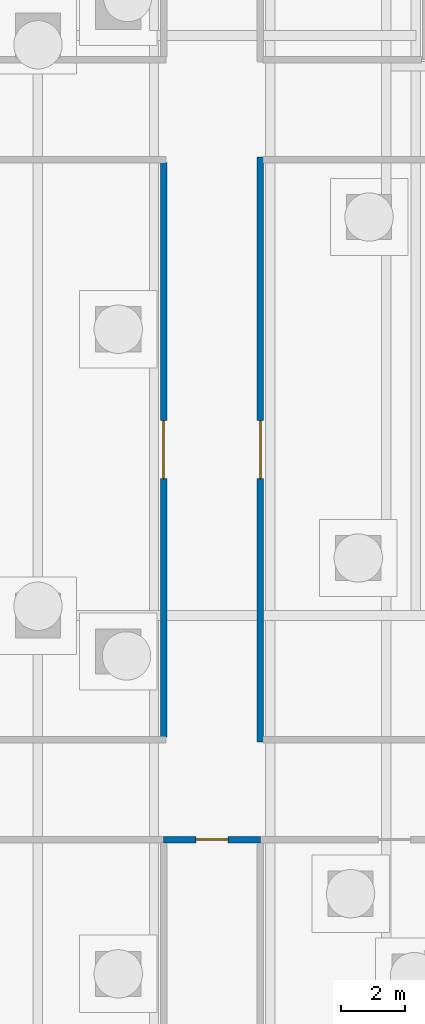
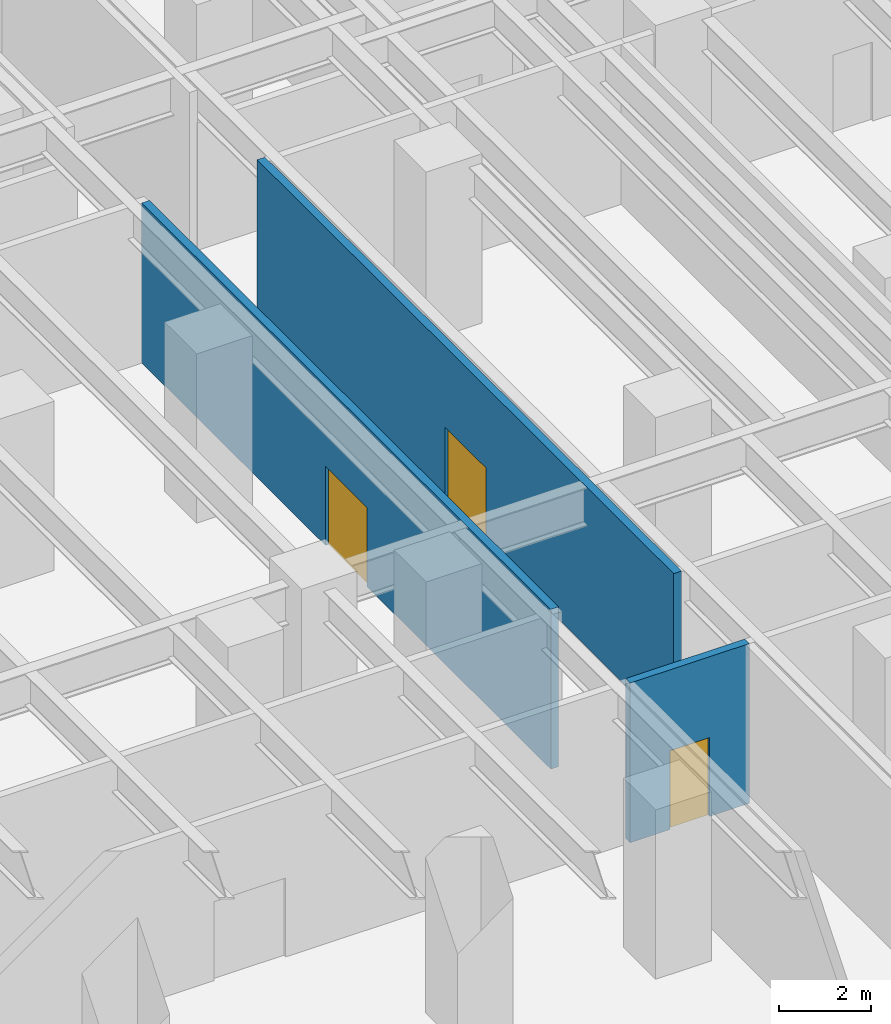
# One storey, part 7 of 18: 3 doors, 3 walls, 3 openings.
"""IFC4 building model written with IfcOpenShell, lengths in metres."""

from ifc_helpers import new_model, si_unit, direction, frame, frame_2d, origin, place, context, subcontext, project, spatial, rectangle, extrude, material, layer, layer_set, type_object, element, fill, save


model = new_model("IFC4")

# Units and contexts
model_context = context("Model", 3, precision=1e-05, world=origin(), true_north=direction((0.0, 1.0)))
body_context = subcontext(model_context, "Body", "Model", "MODEL_VIEW")
ifc_project = project(units=[si_unit("LENGTHUNIT", "METRE"), si_unit("AREAUNIT", "SQUARE_METRE"), si_unit("VOLUMEUNIT", "CUBIC_METRE"), si_unit("PLANEANGLEUNIT", "RADIAN"), si_unit("MASSUNIT", "GRAM", prefix="KILO")], contexts=[model_context])

# Site, building, storey
site_placement = place(None, origin())
site = spatial("IfcSite", under=ifc_project, at=site_placement, CompositionType="ELEMENT")
building_placement = place(site_placement, origin())
building = spatial("IfcBuilding", under=site, at=building_placement, Name="Aloe Facet Convention Tower", CompositionType="ELEMENT")
storey_placement = place(building_placement, frame((0.0, 0.0, -9.0)))
storey = spatial("IfcBuildingStorey", under=building, at=storey_placement, Name="B2", CompositionType="ELEMENT", Elevation=-9.0)

# Wall, opening, door
ifc_material_1 = material(Name="Masonry blockwork wall, plastered", Category="masonry")
ifc_layer = layer(ifc_material_1, 0.199951171875)
ifc_layer_set = layer_set([ifc_layer], Name="IN-POD-W-PLANT")
wall_type = type_object("IfcWallType", Name="IN-POD-W-PLANT", PredefinedType="PARTITIONING", material=ifc_layer_set)
wall_1_placement = place(storey_placement, frame((83.89990234375, 56.050048828125, 0.0), z_axis=(0.0, 0.0, 1.0), x_axis=(1.0, 0.0, 0.0)))
wall_1 = element("IfcWall", 1, at=wall_1_placement, inside=storey, type_object=wall_type, Name="Partition B2-W003", PredefinedType="PARTITIONING", context=body_context, shape_type="SweptSolid", body=[
    extrude(rectangle(XDim=3.0, YDim=0.199951171875, at=frame_2d((1.5, 0.0))), origin(), (0.0, 0.0, 1.0), 4.25),
])
opening_1_placement = place(wall_1_placement, frame((1.0, 0.0, 0.0)))
opening_1 = element("IfcOpeningElement", 2, at=opening_1_placement, cuts=wall_1, Name="Opening B2-021", PredefinedType="OPENING", context=body_context, shape_type="SweptSolid", body=[
    extrude(rectangle(XDim=1.0, YDim=2.10009765625, at=frame_2d((0.5, 1.050048828125))), frame((0.0, 0.10986328125, 0.0), z_axis=(0.0, -1.0, 0.0), x_axis=(1.0, 0.0, 0.0)), (0.0, 0.0, 1.0), 0.219970703125),
])
ifc_material_2 = material(Name="Steel flush door, galvanised", Category="steel")
door_type_1 = type_object("IfcDoorType", Name="IN-POD-D-PLANT", OperationType="SINGLE_SWING_LEFT", PredefinedType="DOOR", material=ifc_material_2)
door_1_placement = place(opening_1_placement, origin())
door_1 = element("IfcDoor", 3, at=door_1_placement, inside=storey, type_object=door_type_1, Name="Door B2-021", OperationType="SINGLE_SWING_LEFT", OverallHeight=2.10009765625, OverallWidth=1.0, PredefinedType="DOOR", context=body_context, shape_type="SweptSolid", body=[
    extrude(rectangle(XDim=1.0, YDim=2.10009765625, at=frame_2d((0.5, 1.050048828125))), frame((0.0, 0.02490234375, 0.0), z_axis=(0.0, -1.0, 0.0), x_axis=(1.0, 0.0, 0.0)), (0.0, 0.0, 1.0), 0.050048828125),
])
fill(opening_1, door_1)

wall_2_placement = place(storey_placement, frame((86.89990234375, 59.074951171875, 0.0), z_axis=(0.0, 0.0, 1.0), x_axis=(0.0, 1.0, 0.0)))
wall_2 = element("IfcWall", 4, at=wall_2_placement, inside=storey, type_object=wall_type, Name="Partition B2-W009", PredefinedType="PARTITIONING", context=body_context, shape_type="SweptSolid", body=[
    extrude(rectangle(XDim=18.150146484375, YDim=0.199951171875, at=frame_2d((9.0751953125, 0.0))), origin(), (0.0, 0.0, 1.0), 4.25),
])
opening_2_placement = place(wall_2_placement, frame((8.175048828125, 0.0, 0.0)))
opening_2 = element("IfcOpeningElement", 5, at=opening_2_placement, cuts=wall_2, Name="Opening B2-017", PredefinedType="OPENING", context=body_context, shape_type="SweptSolid", body=[
    extrude(rectangle(XDim=1.800048828125, YDim=2.10009765625, at=frame_2d((0.89990234375, 1.050048828125))), frame((0.0, 0.10986328125, 0.0), z_axis=(0.0, -1.0, 0.0), x_axis=(1.0, 0.0, 0.0)), (0.0, 0.0, 1.0), 0.219970703125),
])
ifc_material_3 = material(Name="Steel flush door pair, galvanised", Category="steel")
door_type_2 = type_object("IfcDoorType", Name="IN-POD-D-PLANTPAIR", OperationType="DOUBLE_DOOR_SINGLE_SWING", PredefinedType="DOOR", material=ifc_material_3)
door_2_placement = place(opening_2_placement, origin())
door_2 = element("IfcDoor", 6, at=door_2_placement, inside=storey, type_object=door_type_2, Name="Door B2-017", OperationType="SINGLE_SWING_LEFT", OverallHeight=2.10009765625, OverallWidth=1.800048828125, PredefinedType="DOOR", context=body_context, shape_type="SweptSolid", body=[
    extrude(rectangle(XDim=1.800048828125, YDim=2.10009765625, at=frame_2d((0.89990234375, 1.050048828125))), frame((0.0, 0.02490234375, 0.0), z_axis=(0.0, -1.0, 0.0), x_axis=(1.0, 0.0, 0.0)), (0.0, 0.0, 1.0), 0.050048828125),
])
fill(opening_2, door_2)

wall_3_placement = place(storey_placement, frame((83.89990234375, 59.235107421875, 0.0), z_axis=(0.0, 0.0, 1.0), x_axis=(0.0, 1.0, 0.0)))
wall_3 = element("IfcWall", 7, at=wall_3_placement, inside=storey, type_object=wall_type, Name="Partition B2-W015", PredefinedType="PARTITIONING", context=body_context, shape_type="SweptSolid", body=[
    extrude(rectangle(XDim=17.829833984375, YDim=0.199951171875, at=frame_2d((8.9150390625, 0.0))), origin(), (0.0, 0.0, 1.0), 4.25),
])
opening_3_placement = place(wall_3_placement, frame((8.014892578125, 0.0, 0.0)))
opening_3 = element("IfcOpeningElement", 8, at=opening_3_placement, cuts=wall_3, Name="Opening B2-016", PredefinedType="OPENING", context=body_context, shape_type="SweptSolid", body=[
    extrude(rectangle(XDim=1.800048828125, YDim=2.10009765625, at=frame_2d((0.89990234375, 1.050048828125))), frame((0.0, 0.10986328125, 0.0), z_axis=(0.0, -1.0, 0.0), x_axis=(1.0, 0.0, 0.0)), (0.0, 0.0, 1.0), 0.219970703125),
])
door_3_placement = place(opening_3_placement, origin())
door_3 = element("IfcDoor", 9, at=door_3_placement, inside=storey, type_object=door_type_2, Name="Door B2-016", OperationType="SINGLE_SWING_LEFT", OverallHeight=2.10009765625, OverallWidth=1.800048828125, PredefinedType="DOOR", context=body_context, shape_type="SweptSolid", body=[
    extrude(rectangle(XDim=1.800048828125, YDim=2.10009765625, at=frame_2d((0.89990234375, 1.050048828125))), frame((0.0, 0.02490234375, 0.0), z_axis=(0.0, -1.0, 0.0), x_axis=(1.0, 0.0, 0.0)), (0.0, 0.0, 1.0), 0.050048828125),
])
fill(opening_3, door_3)

save(model, "model.ifc")
